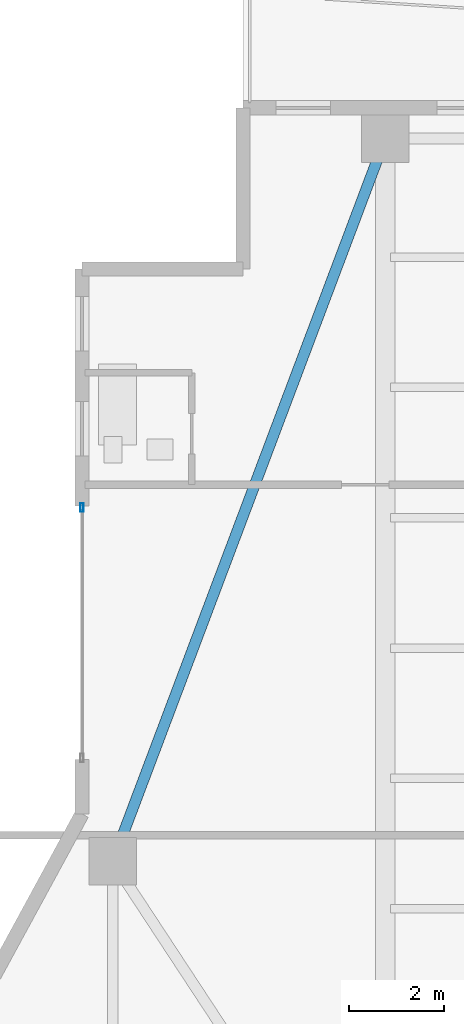
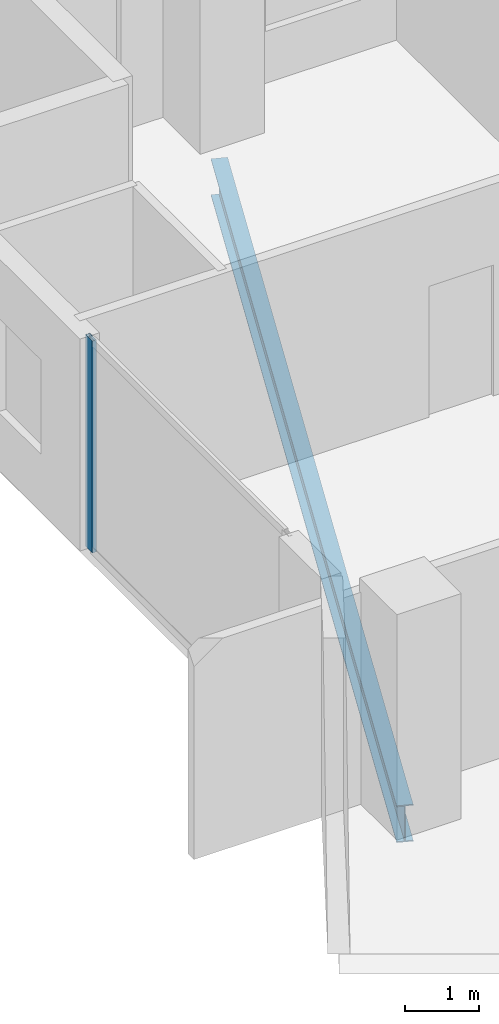
# One storey, part 12 of 25: 1 beam, 1 member, 1 element without a shape of its own.
"""IFC4 building model written with IfcOpenShell, lengths in metres."""

from ifc_helpers import new_model, si_unit, direction, frame, origin, origin_2d, place, context, subcontext, project, spatial, hollow_rectangle, i_section, extrude, material, layer, layer_set, material_profile, profile_set, type_object, element, aggregate, save


model = new_model("IFC4")

# Units and contexts
model_context = context("Model", 3, precision=1e-05, world=origin(), true_north=direction((0.0, 1.0)))
body_context = subcontext(model_context, "Body", "Model", "MODEL_VIEW")
ifc_project = project(units=[si_unit("LENGTHUNIT", "METRE"), si_unit("AREAUNIT", "SQUARE_METRE"), si_unit("VOLUMEUNIT", "CUBIC_METRE"), si_unit("PLANEANGLEUNIT", "RADIAN"), si_unit("MASSUNIT", "GRAM", prefix="KILO")], contexts=[model_context])

# Site, building, storey
site_placement = place(None, origin())
site = spatial("IfcSite", under=ifc_project, at=site_placement, CompositionType="ELEMENT")
building_placement = place(site_placement, origin())
building = spatial("IfcBuilding", under=site, at=building_placement, Name="Zuhayl Quay Hotel", CompositionType="ELEMENT")
storey_placement = place(building_placement, frame((0.0, 0.0, 243.35009765625)))
storey = spatial("IfcBuildingStorey", under=building, at=storey_placement, Name="L61", CompositionType="ELEMENT", Elevation=243.35009765625)

# Beam
ifc_material_1 = material(Name="Steel ASTM A992 Grade 50", Category="steel")
ifc_material_profile_1 = material_profile(ifc_material_1, i_section(OverallWidth=0.22802734375, OverallDepth=0.60693359375, WebThickness=0.01123046875, FlangeThickness=0.017333984375, at=origin_2d()), Name="W24X76")
ifc_profile_set_1 = profile_set([ifc_material_profile_1], Name="Steel ASTM A992 Grade 50")
beam_type = type_object("IfcBeamType", Name="BM_B3_W24X76", PredefinedType="BEAM", material=ifc_profile_set_1)
beam_placement = place(storey_placement, frame((-13.96240234375, 37.919677734375, -0.523681640625), z_axis=(-0.352796603103, -0.935700035716, 0.0), x_axis=(0.935700035716, -0.352796603103, 0.0)))
element("IfcBeam", 1, at=beam_placement, inside=storey, type_object=beam_type, Name="L61 Floor Beam RG_L61_10", PredefinedType="BEAM", context=body_context, shape_type="SweptSolid", body=[
    extrude(i_section(OverallWidth=0.22802734375, OverallDepth=0.60693359375, WebThickness=0.01123046875, FlangeThickness=0.017333984375, at=origin_2d()), origin(), (0.0, 0.0, 1.0), 15.3779296875),
])

# Curtain wall, member
ifc_material_2 = material(Name="Anodised Aluminium 6063-T6", Category="aluminium")
ifc_layer = layer(ifc_material_2, 0.169921875, Name="Anodised Aluminium 6063-T6", Category="aluminium")
ifc_layer_set = layer_set([ifc_layer], Name="Anodised Aluminium 6063-T6")
curtain_wall_type = type_object("IfcCurtainWallType", Name="CW_SYS_Z4", PredefinedType="USERDEFINED", material=ifc_layer_set)
curtain_wall_placement = place(storey_placement, origin())
curtain_wall = element("IfcCurtainWall", 2, at=curtain_wall_placement, inside=storey, type_object=curtain_wall_type, Name="L61 Curtain Wall ENV_L61_E05_CW1", ObjectType="UNITISED CURTAIN WALL", PredefinedType="USERDEFINED")
ifc_material_3 = material(Name="Black-anodised aluminium 6063-T6", Category="aluminium")
ifc_material_profile_2 = material_profile(ifc_material_3, hollow_rectangle(XDim=0.06494140625, YDim=0.179931640625, WallThickness=0.00341796875, at=origin_2d()), Name="ALU180X65")
ifc_profile_set_2 = profile_set([ifc_material_profile_2], Name="Black-anodised aluminium 6063-T6")
member_type = type_object("IfcMemberType", Name="MB_CW_MUL_180", PredefinedType="MULLION", material=ifc_profile_set_2)
member_placement = place(storey_placement, frame((-20.199951171875, 30.5673828125, 0.0), z_axis=(0.0, 0.0, 1.0), x_axis=(-1.0, 0.0, 0.0)))
member = element("IfcMember", 3, at=member_placement, type_object=member_type, Name="CW-Z4 mullion 2", PredefinedType="MULLION", context=body_context, shape_type="SweptSolid", body=[
    extrude(hollow_rectangle(XDim=0.06494140625, YDim=0.179931640625, WallThickness=0.00341796875, at=origin_2d()), origin(), (0.0, 0.0, 1.0), 3.47998046875),
])
aggregate(curtain_wall, [member])

save(model, "model.ifc")
